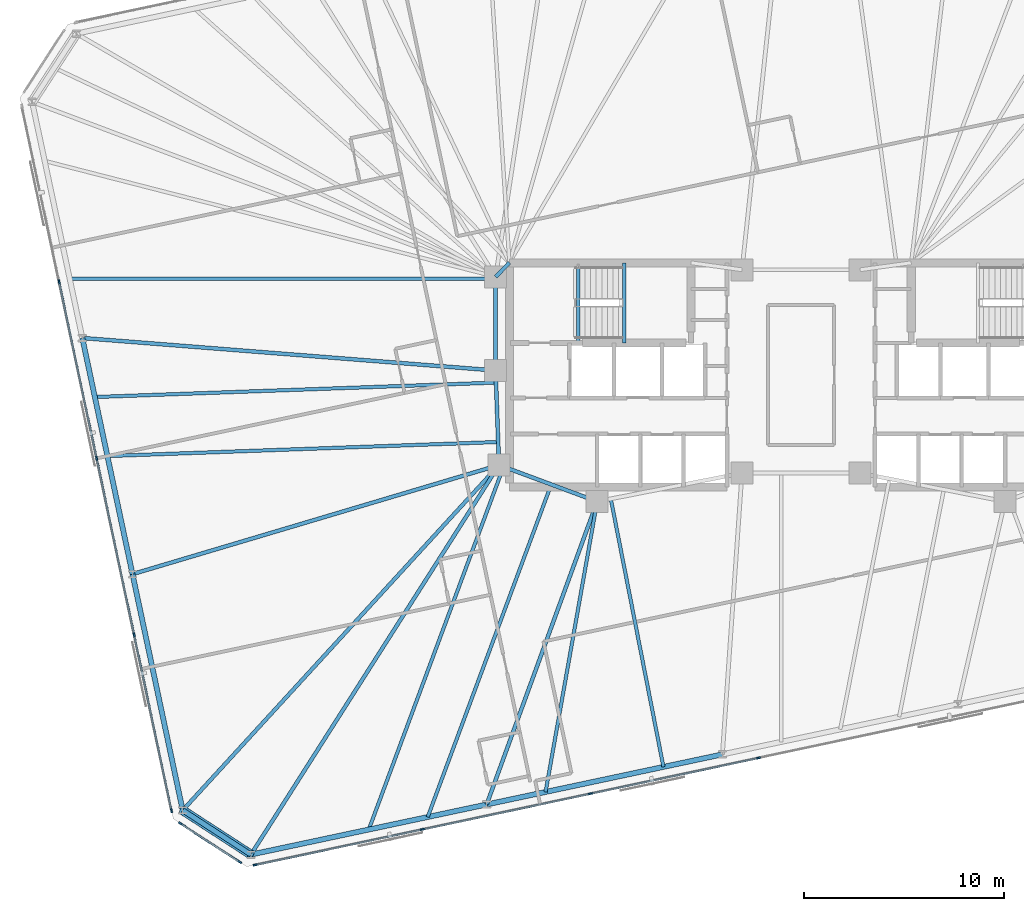
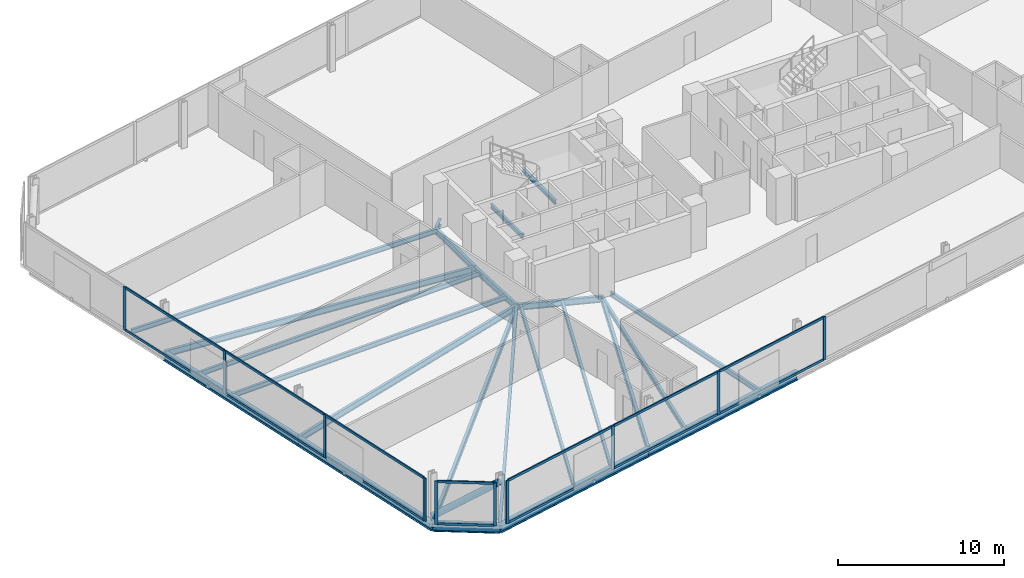
# One storey, part 6 of 19: 25 members, 23 beams, 3 elements without a shape of their own.
"""IFC4 building model written with IfcOpenShell, lengths in metres."""

from ifc_helpers import new_model, si_unit, direction, frame, origin, origin_2d, place, context, subcontext, project, spatial, rectangle, hollow_circle, i_section, extrude, material, material_profile, profile_set, type_object, element, aggregate, save


model = new_model("IFC4")

# Units and contexts
model_context = context("Model", 3, precision=1e-05, world=origin(), true_north=direction((0.0, 1.0)))
body_context = subcontext(model_context, "Body", "Model", "MODEL_VIEW")
ifc_project = project(units=[si_unit("LENGTHUNIT", "METRE"), si_unit("AREAUNIT", "SQUARE_METRE"), si_unit("VOLUMEUNIT", "CUBIC_METRE"), si_unit("PLANEANGLEUNIT", "RADIAN"), si_unit("MASSUNIT", "GRAM", prefix="KILO")], contexts=[model_context])

# Site, building, storey
site_placement = place(None, origin())
site = spatial("IfcSite", under=ifc_project, at=site_placement, CompositionType="ELEMENT")
building_placement = place(site_placement, origin())
building = spatial("IfcBuilding", under=site, at=building_placement, Name="Menara Jurai Vektor", CompositionType="ELEMENT")
storey_placement = place(building_placement, frame((0.0, 0.0, 192.199951171875)))
storey = spatial("IfcBuildingStorey", under=building, at=storey_placement, Name="L50", CompositionType="ELEMENT", Elevation=192.199951171875)

# Curtain wall, members
ifc_material_1 = material(Name="Anodised Pale Aluminium & Low-E Double Glazing", Category="aluminium")
curtain_wall_type = type_object("IfcCurtainWallType", Name="CW-BLK3", PredefinedType="NOTDEFINED", material=ifc_material_1)
curtain_wall_1_placement = place(storey_placement, origin())
curtain_wall_1 = element("IfcCurtainWall", 1, at=curtain_wall_1_placement, inside=storey, type_object=curtain_wall_type, Name="Unitised Curtain Wall L50 F01", PredefinedType="NOTDEFINED")
ifc_material_2 = material(Name="Anodised Pale Aluminium Mullion", Category="aluminium")
ifc_material_profile_1 = material_profile(ifc_material_2, rectangle(XDim=0.0849609375, YDim=0.205078125, at=origin_2d()), Name="ALU MUL 85x205")
ifc_profile_set_1 = profile_set([ifc_material_profile_1], Name="Anodised Pale Aluminium Mullion")
member_type_1 = type_object("IfcMemberType", Name="CW-BLK3-MUL", PredefinedType="MULLION", material=ifc_profile_set_1)
member_1_placement = place(storey_placement, frame((-27.25244140625, -24.462890625, 0.0), z_axis=(0.0, 0.0, 1.0), x_axis=(-0.207911344156, 0.978147674419, 0.0)))
member_1 = element("IfcMember", 2, at=member_1_placement, type_object=member_type_1, Name="CW-03 mullion 1", PredefinedType="MULLION", context=body_context, shape_type="SweptSolid", body=[
    extrude(rectangle(XDim=0.0849609375, YDim=0.205078125, at=origin_2d()), origin(), (0.0, 0.0, 1.0), 3.175048828125),
])
member_2_placement = place(storey_placement, frame((-18.904296875, -22.6884765625, 0.0), z_axis=(0.0, 0.0, 1.0), x_axis=(-0.207911344156, 0.978147674419, 0.0)))
member_2 = element("IfcMember", 3, at=member_2_placement, type_object=member_type_1, Name="CW-03 mullion 2", PredefinedType="MULLION", context=body_context, shape_type="SweptSolid", body=[
    extrude(rectangle(XDim=0.0849609375, YDim=0.205078125, at=origin_2d()), origin(), (0.0, 0.0, 1.0), 3.175048828125),
])
member_3_placement = place(storey_placement, frame((-10.514404296875, -20.905029296875, 0.0), z_axis=(0.0, 0.0, 1.0), x_axis=(-0.207911344156, 0.978147674419, 0.0)))
member_3 = element("IfcMember", 4, at=member_3_placement, type_object=member_type_1, Name="CW-03 mullion 3", PredefinedType="MULLION", context=body_context, shape_type="SweptSolid", body=[
    extrude(rectangle(XDim=0.0849609375, YDim=0.205078125, at=origin_2d()), origin(), (0.0, 0.0, 1.0), 3.175048828125),
])
member_4_placement = place(storey_placement, frame((-2.124755859375, -19.121826171875, 0.0), z_axis=(0.0, 0.0, 1.0), x_axis=(-0.207911344156, 0.978147674419, 0.0)))
member_4 = element("IfcMember", 5, at=member_4_placement, type_object=member_type_1, Name="CW-03 mullion 4", PredefinedType="MULLION", context=body_context, shape_type="SweptSolid", body=[
    extrude(rectangle(XDim=0.0849609375, YDim=0.205078125, at=origin_2d()), origin(), (0.0, 0.0, 1.0), 3.175048828125),
])

curtain_wall_2_placement = place(storey_placement, origin())
curtain_wall_2 = element("IfcCurtainWall", 6, at=curtain_wall_2_placement, inside=storey, type_object=curtain_wall_type, Name="Unitised Curtain Wall L50 F07", PredefinedType="NOTDEFINED")
member_5_placement = place(storey_placement, frame((-37.041259765625, 4.648193359375, 0.0), z_axis=(0.0, 0.0, 1.0), x_axis=(0.978147883949, 0.20791035839, 0.0)))
member_5 = element("IfcMember", 7, at=member_5_placement, type_object=member_type_1, Name="CW-03 mullion 2", PredefinedType="MULLION", context=body_context, shape_type="SweptSolid", body=[
    extrude(rectangle(XDim=0.0849609375, YDim=0.205078125, at=origin_2d()), origin(), (0.0, 0.0, 1.0), 3.175048828125),
])
member_6_placement = place(storey_placement, frame((-35.16796875, -4.1650390625, 0.0), z_axis=(0.0, 0.0, 1.0), x_axis=(0.978147883949, 0.20791035839, 0.0)))
member_6 = element("IfcMember", 8, at=member_6_placement, type_object=member_type_1, Name="CW-03 mullion 3", PredefinedType="MULLION", context=body_context, shape_type="SweptSolid", body=[
    extrude(rectangle(XDim=0.0849609375, YDim=0.205078125, at=origin_2d()), origin(), (0.0, 0.0, 1.0), 3.175048828125),
])
member_7_placement = place(storey_placement, frame((-33.294677734375, -12.978271484375, 0.0), z_axis=(0.0, 0.0, 1.0), x_axis=(0.978147883949, 0.20791035839, 0.0)))
member_7 = element("IfcMember", 9, at=member_7_placement, type_object=member_type_1, Name="CW-03 mullion 4", PredefinedType="MULLION", context=body_context, shape_type="SweptSolid", body=[
    extrude(rectangle(XDim=0.0849609375, YDim=0.205078125, at=origin_2d()), origin(), (0.0, 0.0, 1.0), 3.175048828125),
])
member_8_placement = place(storey_placement, frame((-31.43017578125, -21.749755859375, 0.0), z_axis=(0.0, 0.0, 1.0), x_axis=(0.978147883949, 0.20791035839, 0.0)))
member_8 = element("IfcMember", 10, at=member_8_placement, type_object=member_type_1, Name="CW-03 mullion 5", PredefinedType="MULLION", context=body_context, shape_type="SweptSolid", body=[
    extrude(rectangle(XDim=0.0849609375, YDim=0.205078125, at=origin_2d()), origin(), (0.0, 0.0, 1.0), 3.175048828125),
])

curtain_wall_3_placement = place(storey_placement, origin())
curtain_wall_3 = element("IfcCurtainWall", 11, at=curtain_wall_3_placement, inside=storey, type_object=curtain_wall_type, Name="Unitised Curtain Wall L50 F08", PredefinedType="NOTDEFINED")
member_9_placement = place(storey_placement, frame((-30.988037109375, -22.39306640625, 0.0), z_axis=(0.0, 0.0, 1.0), x_axis=(0.544617794346, 0.838684361415, 0.0)))
member_9 = element("IfcMember", 12, at=member_9_placement, type_object=member_type_1, Name="CW-03 mullion 1", PredefinedType="MULLION", context=body_context, shape_type="SweptSolid", body=[
    extrude(rectangle(XDim=0.0849609375, YDim=0.205078125, at=origin_2d()), origin(), (0.0, 0.0, 1.0), 3.175048828125),
])
member_10_placement = place(storey_placement, frame((-28.02001953125, -24.320556640625, 0.0), z_axis=(0.0, 0.0, 1.0), x_axis=(0.544617794346, 0.838684361415, 0.0)))
member_10 = element("IfcMember", 13, at=member_10_placement, type_object=member_type_1, Name="CW-03 mullion 2", PredefinedType="MULLION", context=body_context, shape_type="SweptSolid", body=[
    extrude(rectangle(XDim=0.0849609375, YDim=0.205078125, at=origin_2d()), origin(), (0.0, 0.0, 1.0), 3.175048828125),
])

# Member
ifc_material_3 = material(Name="Anodised Pale Aluminium Transom", Category="aluminium")
ifc_material_profile_2 = material_profile(ifc_material_3, rectangle(XDim=0.0849609375, YDim=0.175048828125, at=origin_2d()), Name="ALU TRN 85x175")
ifc_profile_set_2 = profile_set([ifc_material_profile_2], Name="Anodised Pale Aluminium Transom")
member_type_2 = type_object("IfcMemberType", Name="CW-BLK3-TRN", PredefinedType="USERDEFINED", material=ifc_profile_set_2)
member_11_placement = place(storey_placement, frame((-27.210693359375, -24.4541015625, 0.04248046875), z_axis=(0.978145704369, 0.207920612313, 0.0), x_axis=(-0.207920612313, 0.978145704369, 0.0)))
member_11 = element("IfcMember", 14, at=member_11_placement, type_object=member_type_2, Name="CW-03 transom 1.1", ObjectType="TRANSOM", PredefinedType="USERDEFINED", context=body_context, shape_type="SweptSolid", body=[
    extrude(rectangle(XDim=0.0849609375, YDim=0.175048828125, at=origin_2d()), origin(), (0.0, 0.0, 1.0), 8.449462890625),
])

member_12_placement = place(storey_placement, frame((-27.210693359375, -24.4541015625, 3.132568359375), z_axis=(0.978145704369, 0.207920612313, 0.0), x_axis=(-0.207920612313, 0.978145704369, 0.0)))
member_12 = element("IfcMember", 15, at=member_12_placement, type_object=member_type_2, Name="CW-03 transom 1.2", ObjectType="TRANSOM", PredefinedType="USERDEFINED", context=body_context, shape_type="SweptSolid", body=[
    extrude(rectangle(XDim=0.0849609375, YDim=0.175048828125, at=origin_2d()), origin(), (0.0, 0.0, 1.0), 8.449462890625),
])

member_13_placement = place(storey_placement, frame((-18.862548828125, -22.6796875, 0.04248046875), z_axis=(0.978146500933, 0.207916864907, 0.0), x_axis=(-0.207916864907, 0.978146500933, 0.0)))
member_13 = element("IfcMember", 16, at=member_13_placement, type_object=member_type_2, Name="CW-03 transom 2.1", ObjectType="TRANSOM", PredefinedType="USERDEFINED", context=body_context, shape_type="SweptSolid", body=[
    extrude(rectangle(XDim=0.0849609375, YDim=0.175048828125, at=origin_2d()), origin(), (0.0, 0.0, 1.0), 8.491943359375),
])

member_14_placement = place(storey_placement, frame((-18.862548828125, -22.6796875, 3.132568359375), z_axis=(0.978146500933, 0.207916864907, 0.0), x_axis=(-0.207916864907, 0.978146500933, 0.0)))
member_14 = element("IfcMember", 17, at=member_14_placement, type_object=member_type_2, Name="CW-03 transom 2.2", ObjectType="TRANSOM", PredefinedType="USERDEFINED", context=body_context, shape_type="SweptSolid", body=[
    extrude(rectangle(XDim=0.0849609375, YDim=0.175048828125, at=origin_2d()), origin(), (0.0, 0.0, 1.0), 8.491943359375),
])

member_15_placement = place(storey_placement, frame((-10.472900390625, -20.896240234375, 0.04248046875), z_axis=(0.978147743708, 0.207911018178, 0.0), x_axis=(-0.207911018178, 0.978147743708, 0.0)))
member_15 = element("IfcMember", 18, at=member_15_placement, type_object=member_type_2, Name="CW-03 transom 3.1", ObjectType="TRANSOM", PredefinedType="USERDEFINED", context=body_context, shape_type="SweptSolid", body=[
    extrude(rectangle(XDim=0.0849609375, YDim=0.175048828125, at=origin_2d()), origin(), (0.0, 0.0, 1.0), 8.4921875),
])

member_16_placement = place(storey_placement, frame((-10.472900390625, -20.896240234375, 3.132568359375), z_axis=(0.978147743708, 0.207911018178, 0.0), x_axis=(-0.207911018178, 0.978147743708, 0.0)))
member_16 = element("IfcMember", 19, at=member_16_placement, type_object=member_type_2, Name="CW-03 transom 3.2", ObjectType="TRANSOM", PredefinedType="USERDEFINED", context=body_context, shape_type="SweptSolid", body=[
    extrude(rectangle(XDim=0.0849609375, YDim=0.175048828125, at=origin_2d()), origin(), (0.0, 0.0, 1.0), 8.4921875),
])

aggregate(curtain_wall_1, [member_1, member_2, member_3, member_4, member_11, member_12, member_13, member_14, member_15, member_16])

member_17_placement = place(storey_placement, frame((-37.032470703125, 4.6064453125, 0.04248046875), z_axis=(0.207922224243, -0.978145361726, 0.0), x_axis=(0.978145361726, 0.207922224243, 0.0)))
member_17 = element("IfcMember", 20, at=member_17_placement, type_object=member_type_2, Name="CW-03 transom 2.1", ObjectType="TRANSOM", PredefinedType="USERDEFINED", context=body_context, shape_type="SweptSolid", body=[
    extrude(rectangle(XDim=0.0849609375, YDim=0.175048828125, at=origin_2d()), origin(), (0.0, 0.0, 1.0), 8.925048828125),
])

member_18_placement = place(storey_placement, frame((-37.032470703125, 4.6064453125, 3.132568359375), z_axis=(0.207922224243, -0.978145361726, 0.0), x_axis=(0.978145361726, 0.207922224243, 0.0)))
member_18 = element("IfcMember", 21, at=member_18_placement, type_object=member_type_2, Name="CW-03 transom 2.2", ObjectType="TRANSOM", PredefinedType="USERDEFINED", context=body_context, shape_type="SweptSolid", body=[
    extrude(rectangle(XDim=0.0849609375, YDim=0.175048828125, at=origin_2d()), origin(), (0.0, 0.0, 1.0), 8.925048828125),
])

member_19_placement = place(storey_placement, frame((-35.1591796875, -4.20654296875, 0.04248046875), z_axis=(0.207922224243, -0.978145361726, 0.0), x_axis=(0.978145361726, 0.207922224243, 0.0)))
member_19 = element("IfcMember", 22, at=member_19_placement, type_object=member_type_2, Name="CW-03 transom 3.1", ObjectType="TRANSOM", PredefinedType="USERDEFINED", context=body_context, shape_type="SweptSolid", body=[
    extrude(rectangle(XDim=0.0849609375, YDim=0.175048828125, at=origin_2d()), origin(), (0.0, 0.0, 1.0), 8.925048828125),
])

member_20_placement = place(storey_placement, frame((-35.1591796875, -4.20654296875, 3.132568359375), z_axis=(0.207922224243, -0.978145361726, 0.0), x_axis=(0.978145361726, 0.207922224243, 0.0)))
member_20 = element("IfcMember", 23, at=member_20_placement, type_object=member_type_2, Name="CW-03 transom 3.2", ObjectType="TRANSOM", PredefinedType="USERDEFINED", context=body_context, shape_type="SweptSolid", body=[
    extrude(rectangle(XDim=0.0849609375, YDim=0.175048828125, at=origin_2d()), origin(), (0.0, 0.0, 1.0), 8.925048828125),
])

member_21_placement = place(storey_placement, frame((-33.285888671875, -13.019775390625, 0.04248046875), z_axis=(0.207925814542, -0.978144598537, 0.0), x_axis=(0.978144598537, 0.207925814542, 0.0)))
member_21 = element("IfcMember", 24, at=member_21_placement, type_object=member_type_2, Name="CW-03 transom 4.1", ObjectType="TRANSOM", PredefinedType="USERDEFINED", context=body_context, shape_type="SweptSolid", body=[
    extrude(rectangle(XDim=0.0849609375, YDim=0.175048828125, at=origin_2d()), origin(), (0.0, 0.0, 1.0), 8.882568359375),
])

member_22_placement = place(storey_placement, frame((-33.285888671875, -13.019775390625, 3.132568359375), z_axis=(0.207925814542, -0.978144598537, 0.0), x_axis=(0.978144598537, 0.207925814542, 0.0)))
member_22 = element("IfcMember", 25, at=member_22_placement, type_object=member_type_2, Name="CW-03 transom 4.2", ObjectType="TRANSOM", PredefinedType="USERDEFINED", context=body_context, shape_type="SweptSolid", body=[
    extrude(rectangle(XDim=0.0849609375, YDim=0.175048828125, at=origin_2d()), origin(), (0.0, 0.0, 1.0), 8.882568359375),
])

aggregate(curtain_wall_2, [member_5, member_6, member_7, member_8, member_17, member_18, member_19, member_20, member_21, member_22])

member_23_placement = place(storey_placement, frame((-30.952392578125, -22.416259765625, 0.04248046875), z_axis=(0.83867770631, -0.54462804274, 0.0), x_axis=(0.54462804274, 0.83867770631, 0.0)))
member_23 = element("IfcMember", 26, at=member_23_placement, type_object=member_type_2, Name="CW-03 transom 1.1", ObjectType="TRANSOM", PredefinedType="USERDEFINED", context=body_context, shape_type="SweptSolid", body=[
    extrude(rectangle(XDim=0.0849609375, YDim=0.175048828125, at=origin_2d()), origin(), (0.0, 0.0, 1.0), 3.453857421875),
])

member_24_placement = place(storey_placement, frame((-30.952392578125, -22.416259765625, 3.132568359375), z_axis=(0.83867770631, -0.54462804274, 0.0), x_axis=(0.54462804274, 0.83867770631, 0.0)))
member_24 = element("IfcMember", 27, at=member_24_placement, type_object=member_type_2, Name="CW-03 transom 1.2", ObjectType="TRANSOM", PredefinedType="USERDEFINED", context=body_context, shape_type="SweptSolid", body=[
    extrude(rectangle(XDim=0.0849609375, YDim=0.175048828125, at=origin_2d()), origin(), (0.0, 0.0, 1.0), 3.453857421875),
])

aggregate(curtain_wall_3, [member_9, member_10, member_23, member_24])

# Beams
ifc_material_4 = material(Name="Steel S355", Category="steel")
ifc_material_profile_3 = material_profile(ifc_material_4, i_section(OverallWidth=0.19091796875, OverallDepth=0.4599609375, WebThickness=0.010009765625, FlangeThickness=0.01611328125, FilletRadius=0.010009765625, at=origin_2d()), Name="UKB 457x191x82")
ifc_profile_set_3 = profile_set([ifc_material_profile_3], Name="Steel S355")
beam_type_1 = type_object("IfcBeamType", Name="STR-BM-457", PredefinedType="BEAM", material=ifc_profile_set_3)
beam_1_placement = place(storey_placement, frame((-15.25, 4.89990234375, -0.454833984375), z_axis=(0.701871936926, 0.712303154672, 0.0), x_axis=(-0.712303154672, 0.701871936926, 0.0)))
element("IfcBeam", 28, at=beam_1_placement, inside=storey, type_object=beam_type_1, Name="Core Ring Header Girder L50-CHW-N1", PredefinedType="BEAM", context=body_context, shape_type="SweptSolid", body=[
    extrude(i_section(OverallWidth=0.19091796875, OverallDepth=0.4599609375, WebThickness=0.010009765625, FlangeThickness=0.01611328125, FilletRadius=0.010009765625, at=origin_2d()), origin(), (0.0, 0.0, 1.0), 0.98291015625),
])
beam_2_placement = place(storey_placement, frame((-15.25, 0.219970703125, -0.454833984375), z_axis=(0.0, 1.0, 0.0), x_axis=(-1.0, 0.0, 0.0)))
element("IfcBeam", 29, at=beam_2_placement, inside=storey, type_object=beam_type_1, Name="Core Ring Header Girder L50-CHW-W1", PredefinedType="BEAM", context=body_context, shape_type="SweptSolid", body=[
    extrude(i_section(OverallWidth=0.19091796875, OverallDepth=0.4599609375, WebThickness=0.010009765625, FlangeThickness=0.01611328125, FilletRadius=0.010009765625, at=origin_2d()), origin(), (0.0, 0.0, 1.0), 4.679931640625),
])
beam_3_placement = place(storey_placement, frame((-15.080078125, -4.5, -0.454833984375), z_axis=(-0.035977314146, 0.999352606874, 0.0), x_axis=(-0.999352606874, -0.035977314146, 0.0)))
element("IfcBeam", 30, at=beam_3_placement, inside=storey, type_object=beam_type_1, Name="Core Ring Header Girder L50-CHW-W2", PredefinedType="BEAM", context=body_context, shape_type="SweptSolid", body=[
    extrude(i_section(OverallWidth=0.19091796875, OverallDepth=0.4599609375, WebThickness=0.010009765625, FlangeThickness=0.01611328125, FilletRadius=0.010009765625, at=origin_2d()), origin(), (0.0, 0.0, 1.0), 4.72314453125),
])
beam_4_placement = place(storey_placement, frame((-15.080078125, -4.5, -0.454833984375), z_axis=(0.937424400887, -0.348188874925, 0.0), x_axis=(0.348188874925, 0.937424400887, 0.0)))
element("IfcBeam", 31, at=beam_4_placement, inside=storey, type_object=beam_type_1, Name="Core Ring Header Girder L50-CHW-S1", PredefinedType="BEAM", context=body_context, shape_type="SweptSolid", body=[
    extrude(i_section(OverallWidth=0.19091796875, OverallDepth=0.4599609375, WebThickness=0.010009765625, FlangeThickness=0.01611328125, FilletRadius=0.010009765625, at=origin_2d()), origin(), (0.0, 0.0, 1.0), 5.227294921875),
])
beam_5_placement = place(storey_placement, frame((-27.46484375, -23.94580078125, -0.454833984375), z_axis=(0.537189280991, 0.843461721946, 0.0), x_axis=(-0.843461721946, 0.537189280991, 0.0)))
element("IfcBeam", 32, at=beam_5_placement, inside=storey, type_object=beam_type_1, Name="Radial Floor Girder L50-S1", PredefinedType="BEAM", context=body_context, shape_type="SweptSolid", body=[
    extrude(i_section(OverallWidth=0.19091796875, OverallDepth=0.4599609375, WebThickness=0.010009765625, FlangeThickness=0.01611328125, FilletRadius=0.010009765625, at=origin_2d()), origin(), (0.0, 0.0, 1.0), 23.0546875),
])
beam_6_placement = place(storey_placement, frame((-15.696533203125, -21.4443359375, -0.454833984375), z_axis=(0.342668294367, 0.939456459893, 0.0), x_axis=(-0.939456459893, 0.342668294367, 0.0)))
element("IfcBeam", 33, at=beam_6_placement, inside=storey, type_object=beam_type_1, Name="Radial Floor Girder L50-S2", PredefinedType="BEAM", context=body_context, shape_type="SweptSolid", body=[
    extrude(i_section(OverallWidth=0.19091796875, OverallDepth=0.4599609375, WebThickness=0.010009765625, FlangeThickness=0.01611328125, FilletRadius=0.010009765625, at=origin_2d()), origin(), (0.0, 0.0, 1.0), 16.098876953125),
])
beam_7_placement = place(storey_placement, frame((-35.8828125, 1.843505859375, -0.454833984375), z_axis=(0.996918476483, -0.078444574364, 0.0), x_axis=(0.078444574364, 0.996918476483, 0.0)))
element("IfcBeam", 34, at=beam_7_placement, inside=storey, type_object=beam_type_1, Name="Radial Floor Girder L50-W2", PredefinedType="BEAM", context=body_context, shape_type="SweptSolid", body=[
    extrude(i_section(OverallWidth=0.19091796875, OverallDepth=0.4599609375, WebThickness=0.010009765625, FlangeThickness=0.01611328125, FilletRadius=0.010009765625, at=origin_2d()), origin(), (0.0, 0.0, 1.0), 20.696533203125),
])
beam_8_placement = place(storey_placement, frame((-33.377197265625, -9.94482421875, -0.454833984375), z_axis=(0.958462775407, 0.285217650505, 0.0), x_axis=(-0.285217650505, 0.958462775407, 0.0)))
element("IfcBeam", 35, at=beam_8_placement, inside=storey, type_object=beam_type_1, Name="Radial Floor Girder L50-W3", PredefinedType="BEAM", context=body_context, shape_type="SweptSolid", body=[
    extrude(i_section(OverallWidth=0.19091796875, OverallDepth=0.4599609375, WebThickness=0.010009765625, FlangeThickness=0.01611328125, FilletRadius=0.010009765625, at=origin_2d()), origin(), (0.0, 0.0, 1.0), 19.090087890625),
])
beam_9_placement = place(storey_placement, frame((-30.871337890625, -21.7333984375, -0.454833984375), z_axis=(0.675584615662, 0.737282460852, 0.0), x_axis=(-0.737282460852, 0.675584615662, 0.0)))
element("IfcBeam", 36, at=beam_9_placement, inside=storey, type_object=beam_type_1, Name="Radial Floor Girder L50-W4", PredefinedType="BEAM", context=body_context, shape_type="SweptSolid", body=[
    extrude(i_section(OverallWidth=0.19091796875, OverallDepth=0.4599609375, WebThickness=0.010009765625, FlangeThickness=0.01611328125, FilletRadius=0.010009765625, at=origin_2d()), origin(), (0.0, 0.0, 1.0), 23.374267578125),
])

# Member
ifc_material_5 = material(Name="Steel S460", Category="steel")
ifc_material_profile_4 = material_profile(ifc_material_5, hollow_circle(Radius=0.228515625, WallThickness=0.01611328125, at=origin_2d()), Name="CHS 457x16")
ifc_profile_set_4 = profile_set([ifc_material_profile_4], Name="Steel S460")
member_type_3 = type_object("IfcMemberType", Name="STR-BR-457", PredefinedType="BRACE", material=ifc_profile_set_4)
member_25_placement = place(storey_placement, frame((-30.871337890625, -21.7333984375, 0.150146484375), z_axis=(0.700422163072, -0.454900425841, 0.549976723186), x_axis=(0.544673525608, 0.838648168484, 0.0)))
element("IfcMember", 37, at=member_25_placement, inside=storey, type_object=member_type_3, Name="Exoskeleton Corner Brace L50-4", PredefinedType="BRACE", context=body_context, shape_type="SweptSolid", body=[
    extrude(hollow_circle(Radius=0.228515625, WallThickness=0.01611328125, at=origin_2d()), origin(), (0.0, 0.0, 1.0), 4.863525390625),
])

# Beams
ifc_material_profile_5 = material_profile(ifc_material_4, i_section(OverallWidth=0.172119140625, OverallDepth=0.35498046875, WebThickness=0.007080078125, FlangeThickness=0.011962890625, FilletRadius=0.010009765625, at=origin_2d()), Name="UKB 356x171x51")
ifc_profile_set_5 = profile_set([ifc_material_profile_5], Name="Steel S355")
beam_type_2 = type_object("IfcBeamType", Name="STR-JS-356", PredefinedType="JOIST", material=ifc_profile_set_5)
beam_10_placement = place(storey_placement, frame((-21.580810546875, -22.695068359375, -0.40234375), z_axis=(0.348190019635, 0.937423975705, 0.0), x_axis=(-0.937423975705, 0.348190019635, 0.0)))
element("IfcBeam", 38, at=beam_10_placement, inside=storey, type_object=beam_type_2, Name="Radial Secondary Floor Joist L50-JS01", PredefinedType="JOIST", context=body_context, shape_type="SweptSolid", body=[
    extrude(i_section(OverallWidth=0.172119140625, OverallDepth=0.35498046875, WebThickness=0.007080078125, FlangeThickness=0.011962890625, FilletRadius=0.010009765625, at=origin_2d()), origin(), (0.0, 0.0, 1.0), 19.320068359375),
])
beam_11_placement = place(storey_placement, frame((-18.638671875, -22.069580078125, -0.40234375), z_axis=(0.348193798412, 0.937422572135, 0.0), x_axis=(-0.937422572135, 0.348193798412, 0.0)))
element("IfcBeam", 39, at=beam_11_placement, inside=storey, type_object=beam_type_2, Name="Radial Secondary Floor Joist L50-JS02", PredefinedType="JOIST", context=body_context, shape_type="SweptSolid", body=[
    extrude(i_section(OverallWidth=0.172119140625, OverallDepth=0.35498046875, WebThickness=0.007080078125, FlangeThickness=0.011962890625, FilletRadius=0.010009765625, at=origin_2d()), origin(), (0.0, 0.0, 1.0), 17.709228515625),
])
beam_12_placement = place(storey_placement, frame((-12.75439453125, -20.819091796875, -0.40234375), z_axis=(0.174826548521, 0.984599247375, 0.0), x_axis=(-0.984599247375, 0.174826548521, 0.0)))
element("IfcBeam", 40, at=beam_12_placement, inside=storey, type_object=beam_type_2, Name="Radial Secondary Floor Joist L50-JS03", PredefinedType="JOIST", context=body_context, shape_type="SweptSolid", body=[
    extrude(i_section(OverallWidth=0.172119140625, OverallDepth=0.35498046875, WebThickness=0.007080078125, FlangeThickness=0.011962890625, FilletRadius=0.010009765625, at=origin_2d()), origin(), (0.0, 0.0, 1.0), 14.725830078125),
])
beam_13_placement = place(storey_placement, frame((-6.870361328125, -19.568359375, -0.40234375), z_axis=(-0.19273083746, 0.981251662058, 0.0), x_axis=(-0.981251662058, -0.19273083746, 0.0)))
element("IfcBeam", 41, at=beam_13_placement, inside=storey, type_object=beam_type_2, Name="Radial Secondary Floor Joist L50-JS04", PredefinedType="JOIST", context=body_context, shape_type="SweptSolid", body=[
    extrude(i_section(OverallWidth=0.172119140625, OverallDepth=0.35498046875, WebThickness=0.007080078125, FlangeThickness=0.011962890625, FilletRadius=0.010009765625, at=origin_2d()), origin(), (0.0, 0.0, 1.0), 13.6376953125),
])
beam_14_placement = place(storey_placement, frame((-36.50927734375, 4.790771484375, -0.40234375), z_axis=(1.0, 0.0, 0.0), x_axis=(0.0, 1.0, 0.0)))
element("IfcBeam", 42, at=beam_14_placement, inside=storey, type_object=beam_type_2, Name="Radial Secondary Floor Joist L50-JS30", PredefinedType="JOIST", context=body_context, shape_type="SweptSolid", body=[
    extrude(i_section(OverallWidth=0.172119140625, OverallDepth=0.35498046875, WebThickness=0.007080078125, FlangeThickness=0.011962890625, FilletRadius=0.010009765625, at=origin_2d()), origin(), (0.0, 0.0, 1.0), 21.25927734375),
])
beam_15_placement = place(storey_placement, frame((-35.25634765625, -1.103515625, -0.40234375), z_axis=(0.999351866858, 0.035997863919, 0.0), x_axis=(-0.035997863919, 0.999351866858, 0.0)))
element("IfcBeam", 43, at=beam_15_placement, inside=storey, type_object=beam_type_2, Name="Radial Secondary Floor Joist L50-JS31", PredefinedType="JOIST", context=body_context, shape_type="SweptSolid", body=[
    extrude(i_section(OverallWidth=0.172119140625, OverallDepth=0.35498046875, WebThickness=0.007080078125, FlangeThickness=0.011962890625, FilletRadius=0.010009765625, at=origin_2d()), origin(), (0.0, 0.0, 1.0), 20.041015625),
])
beam_16_placement = place(storey_placement, frame((-34.6298828125, -4.05078125, -0.40234375), z_axis=(0.999352006705, 0.035993981369, 0.0), x_axis=(-0.035993981369, 0.999352006705, 0.0)))
element("IfcBeam", 44, at=beam_16_placement, inside=storey, type_object=beam_type_2, Name="Radial Secondary Floor Joist L50-JS32", PredefinedType="JOIST", context=body_context, shape_type="SweptSolid", body=[
    extrude(i_section(OverallWidth=0.172119140625, OverallDepth=0.35498046875, WebThickness=0.007080078125, FlangeThickness=0.011962890625, FilletRadius=0.010009765625, at=origin_2d()), origin(), (0.0, 0.0, 1.0), 19.52099609375),
])
ifc_material_profile_6 = material_profile(ifc_material_4, i_section(OverallWidth=0.1650390625, OverallDepth=0.302978515625, WebThickness=0.006103515625, FlangeThickness=0.010009765625, FilletRadius=0.009033203125, at=origin_2d()), Name="UKB 305x165x40")
ifc_profile_set_6 = profile_set([ifc_material_profile_6], Name="Steel S355")
beam_type_3 = type_object("IfcBeamType", Name="STR-LN-305", PredefinedType="LINTEL", material=ifc_profile_set_6)
beam_17_placement = place(storey_placement, frame((-11.1201171875, 1.60009765625, -0.37646484375), z_axis=(0.0, 1.0, 0.0), x_axis=(-1.0, 0.0, 0.0)))
element("IfcBeam", 45, at=beam_17_placement, inside=storey, type_object=beam_type_3, Name="Stair Well Floor Trimmer ST1 L50", PredefinedType="LINTEL", context=body_context, shape_type="SweptSolid", body=[
    extrude(i_section(OverallWidth=0.1650390625, OverallDepth=0.302978515625, WebThickness=0.006103515625, FlangeThickness=0.010009765625, FilletRadius=0.009033203125, at=origin_2d()), origin(), (0.0, 0.0, 1.0), 3.81982421875),
])
beam_18_placement = place(storey_placement, frame((-8.830078125, 1.60009765625, 1.3486328125), z_axis=(0.0, 1.0, 0.0), x_axis=(-1.0, 0.0, 0.0)))
element("IfcBeam", 46, at=beam_18_placement, inside=storey, type_object=beam_type_3, Name="Stair Half-Landing Nosing Trimmer ST1-1 L50", PredefinedType="LINTEL", context=body_context, shape_type="SweptSolid", body=[
    extrude(i_section(OverallWidth=0.1650390625, OverallDepth=0.302978515625, WebThickness=0.006103515625, FlangeThickness=0.010009765625, FilletRadius=0.009033203125, at=origin_2d()), origin(), (0.0, 0.0, 1.0), 4.0),
])
ifc_material_profile_7 = material_profile(ifc_material_5, i_section(OverallWidth=0.256103515625, OverallDepth=0.693115234375, WebThickness=0.013916015625, FlangeThickness=0.02392578125, FilletRadius=0.014892578125, at=origin_2d()), Name="UKB 686x254x170")
ifc_profile_set_7 = profile_set([ifc_material_profile_7], Name="Steel S460")
beam_type_4 = type_object("IfcBeamType", Name="STR-SP-686", PredefinedType="SPANDREL", material=ifc_profile_set_7)
beam_19_placement = place(storey_placement, frame((-27.46484375, -23.94580078125, -0.571533203125), z_axis=(0.978147039247, 0.207914332389, 0.0), x_axis=(-0.207914332389, 0.978147039247, 0.0)))
element("IfcBeam", 47, at=beam_19_placement, inside=storey, type_object=beam_type_4, Name="Exoskeleton Spandrel Beam L50-01", PredefinedType="SPANDREL", context=body_context, shape_type="SweptSolid", body=[
    extrude(i_section(OverallWidth=0.256103515625, OverallDepth=0.693115234375, WebThickness=0.013916015625, FlangeThickness=0.02392578125, FilletRadius=0.014892578125, at=origin_2d()), origin(), (0.0, 0.0, 1.0), 12.03125),
])
beam_20_placement = place(storey_placement, frame((-15.696533203125, -21.4443359375, -0.571533203125), z_axis=(0.97814616202, 0.207918459318, 0.0), x_axis=(-0.207918459318, 0.97814616202, 0.0)))
element("IfcBeam", 48, at=beam_20_placement, inside=storey, type_object=beam_type_4, Name="Exoskeleton Spandrel Beam L50-02", PredefinedType="SPANDREL", context=body_context, shape_type="SweptSolid", body=[
    extrude(i_section(OverallWidth=0.256103515625, OverallDepth=0.693115234375, WebThickness=0.013916015625, FlangeThickness=0.02392578125, FilletRadius=0.014892578125, at=origin_2d()), origin(), (0.0, 0.0, 1.0), 12.031005859375),
])
beam_21_placement = place(storey_placement, frame((-35.8828125, 1.843505859375, -0.571533203125), z_axis=(0.207906000604, -0.978148810209, 0.0), x_axis=(0.978148810209, 0.207906000604, 0.0)))
element("IfcBeam", 49, at=beam_21_placement, inside=storey, type_object=beam_type_4, Name="Exoskeleton Spandrel Beam L50-18", PredefinedType="SPANDREL", context=body_context, shape_type="SweptSolid", body=[
    extrude(i_section(OverallWidth=0.256103515625, OverallDepth=0.693115234375, WebThickness=0.013916015625, FlangeThickness=0.02392578125, FilletRadius=0.014892578125, at=origin_2d()), origin(), (0.0, 0.0, 1.0), 12.0517578125),
])
beam_22_placement = place(storey_placement, frame((-33.377197265625, -9.94482421875, -0.571533203125), z_axis=(0.207921262698, -0.978145566119, 0.0), x_axis=(0.978145566119, 0.207921262698, 0.0)))
element("IfcBeam", 50, at=beam_22_placement, inside=storey, type_object=beam_type_4, Name="Exoskeleton Spandrel Beam L50-19", PredefinedType="SPANDREL", context=body_context, shape_type="SweptSolid", body=[
    extrude(i_section(OverallWidth=0.256103515625, OverallDepth=0.693115234375, WebThickness=0.013916015625, FlangeThickness=0.02392578125, FilletRadius=0.014892578125, at=origin_2d()), origin(), (0.0, 0.0, 1.0), 12.052001953125),
])
beam_23_placement = place(storey_placement, frame((-30.871337890625, -21.7333984375, -0.571533203125), z_axis=(0.838648168484, -0.544673525608, 0.0), x_axis=(0.544673525608, 0.838648168484, 0.0)))
element("IfcBeam", 51, at=beam_23_placement, inside=storey, type_object=beam_type_4, Name="Exoskeleton Spandrel Beam L50-20", PredefinedType="SPANDREL", context=body_context, shape_type="SweptSolid", body=[
    extrude(i_section(OverallWidth=0.256103515625, OverallDepth=0.693115234375, WebThickness=0.013916015625, FlangeThickness=0.02392578125, FilletRadius=0.014892578125, at=origin_2d()), origin(), (0.0, 0.0, 1.0), 4.061767578125),
])

save(model, "model.ifc")
